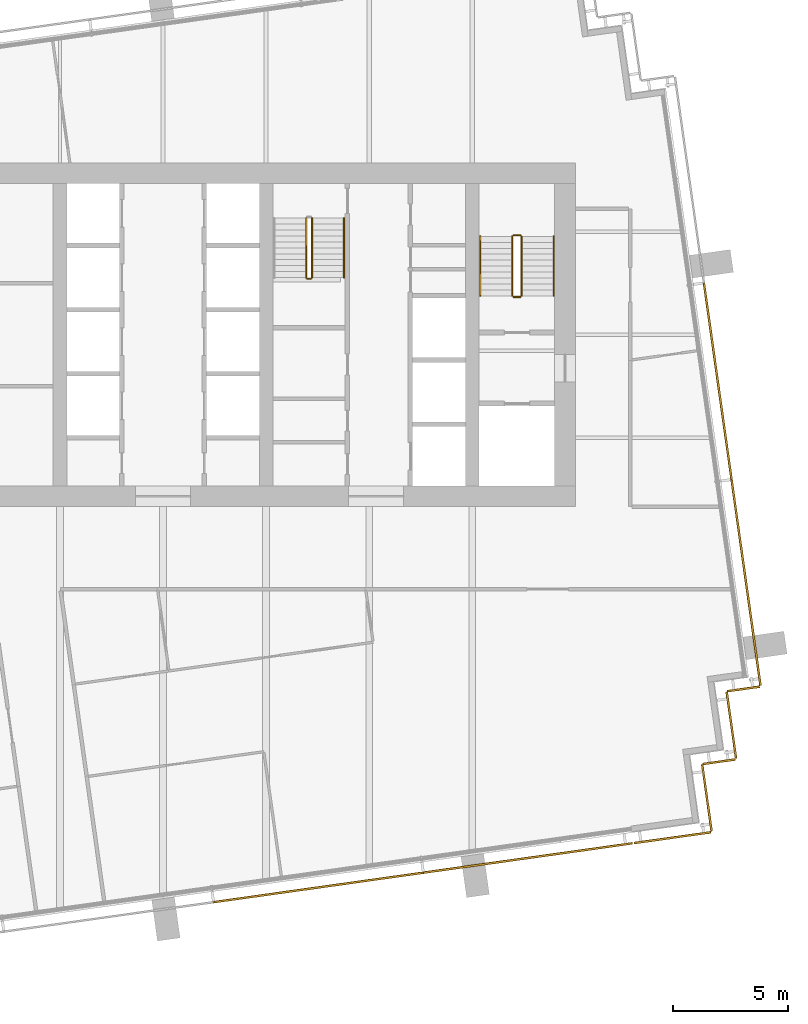
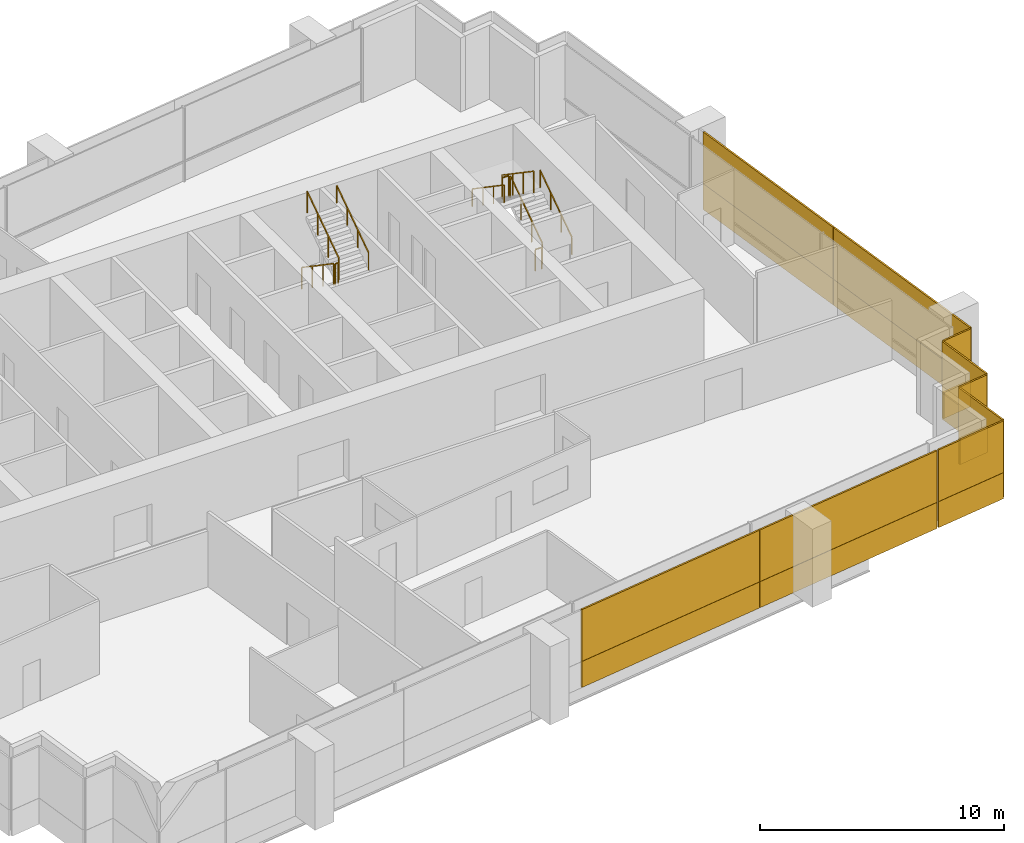
# One storey, part 13 of 15: 18 coverings, 10 railings.
"""IFC4 building model written with IfcOpenShell, lengths in metres."""

from ifc_helpers import new_model, si_unit, direction, frame, origin, origin_2d, place, context, subcontext, project, spatial, rectangle, extrude, material, layer, layer_set, type_object, element, save


model = new_model("IFC4")

# Units and contexts
model_context = context("Model", 3, precision=1e-05, world=origin(), true_north=direction((0.0, 1.0)))
body_context = subcontext(model_context, "Body", "Model", "MODEL_VIEW")
ifc_project = project(units=[si_unit("LENGTHUNIT", "METRE"), si_unit("AREAUNIT", "SQUARE_METRE"), si_unit("VOLUMEUNIT", "CUBIC_METRE"), si_unit("PLANEANGLEUNIT", "RADIAN"), si_unit("MASSUNIT", "GRAM", prefix="KILO")], contexts=[model_context])

# Site, building, storey
site_placement = place(None, origin())
site = spatial("IfcSite", under=ifc_project, at=site_placement, CompositionType="ELEMENT")
building_placement = place(site_placement, origin())
building = spatial("IfcBuilding", under=site, at=building_placement, Name="Rattan Terrace Tower", CompositionType="ELEMENT")
storey_placement = place(building_placement, frame((0.0, 0.0, 262.89990234375)))
storey = spatial("IfcBuildingStorey", under=building, at=storey_placement, Name="L60", CompositionType="ELEMENT", Elevation=262.89990234375)

# Railings
ifc_material_1 = material(Name="Powder-coated steel guard", Category="steel")
railing_type_1 = type_object("IfcRailingType", Name="Core stair guard", PredefinedType="GUARDRAIL", material=ifc_material_1)
railing_1_placement = place(storey_placement, frame((15.64990234375, 1.699951171875, 0.177490234375)))
element("IfcRailing", 1, at=railing_1_placement, inside=storey, type_object=railing_type_1, Name="L60 S2 stair guard 1", PredefinedType="GUARDRAIL", context=body_context, shape_type="SweptSolid", body=[
    extrude(rectangle(XDim=0.048095703125, YDim=0.048095703125, at=origin_2d()), frame((0.0, 0.0, 1.076171875), z_axis=(0.0, 0.826240473404, 0.563317565952), x_axis=(-1.0, 0.0, 0.0)), (0.0, 0.0, 1.0), 3.14697265625),
    extrude(rectangle(XDim=0.0419921875, YDim=0.0419921875, at=origin_2d()), origin(), (0.0, 0.0, 1.0), 1.052001953125),
    extrude(rectangle(XDim=0.0419921875, YDim=0.0419921875, at=origin_2d()), frame((0.0, 0.86669921875, 0.5908203125)), (0.0, 0.0, 1.0), 1.052001953125),
    extrude(rectangle(XDim=0.0419921875, YDim=0.0419921875, at=origin_2d()), frame((0.0, 1.7333984375, 1.181884765625)), (0.0, 0.0, 1.0), 1.052001953125),
    extrude(rectangle(XDim=0.0419921875, YDim=0.0419921875, at=origin_2d()), frame((0.0, 2.60009765625, 1.772705078125)), (0.0, 0.0, 1.0), 1.052001953125),
])
railing_2_placement = place(storey_placement, frame((15.60009765625, 4.35009765625, 1.9501953125)))
element("IfcRailing", 2, at=railing_2_placement, inside=storey, type_object=railing_type_1, Name="L60 S2 stair guard 2", PredefinedType="GUARDRAIL", context=body_context, shape_type="SweptSolid", body=[
    extrude(rectangle(XDim=0.048095703125, YDim=0.048095703125, at=origin_2d()), frame((0.0, 0.0, 1.076171875), z_axis=(-1.0, 0.0, 0.0), x_axis=(0.0, -1.0, 0.0)), (0.0, 0.0, 1.0), 0.300048828125),
    extrude(rectangle(XDim=0.0419921875, YDim=0.0419921875, at=origin_2d()), origin(), (0.0, 0.0, 1.0), 1.052001953125),
    extrude(rectangle(XDim=0.0419921875, YDim=0.0419921875, at=origin_2d()), frame((-0.300048828125, 0.0, 0.0)), (0.0, 0.0, 1.0), 1.052001953125),
])
railing_3_placement = place(storey_placement, frame((15.25, 4.300048828125, 2.12744140625)))
element("IfcRailing", 3, at=railing_3_placement, inside=storey, type_object=railing_type_1, Name="L60 S2 stair guard 3", PredefinedType="GUARDRAIL", context=body_context, shape_type="SweptSolid", body=[
    extrude(rectangle(XDim=0.048095703125, YDim=0.048095703125, at=origin_2d()), frame((0.0, 0.0, 1.076171875), z_axis=(0.0, -0.826240473404, 0.563317565952), x_axis=(1.0, 0.0, 0.0)), (0.0, 0.0, 1.0), 3.14697265625),
    extrude(rectangle(XDim=0.0419921875, YDim=0.0419921875, at=origin_2d()), origin(), (0.0, 0.0, 1.0), 1.052001953125),
    extrude(rectangle(XDim=0.0419921875, YDim=0.0419921875, at=origin_2d()), frame((0.0, -0.86669921875, 0.5908203125)), (0.0, 0.0, 1.0), 1.052001953125),
    extrude(rectangle(XDim=0.0419921875, YDim=0.0419921875, at=origin_2d()), frame((0.0, -1.7333984375, 1.181884765625)), (0.0, 0.0, 1.0), 1.052001953125),
    extrude(rectangle(XDim=0.0419921875, YDim=0.0419921875, at=origin_2d()), frame((0.0, -2.60009765625, 1.772705078125)), (0.0, 0.0, 1.0), 1.052001953125),
])
railing_4_placement = place(storey_placement, frame((15.60009765625, 1.64990234375, 0.0)))
element("IfcRailing", 4, at=railing_4_placement, inside=storey, type_object=railing_type_1, Name="L60 S2 stair guard 4", PredefinedType="GUARDRAIL", context=body_context, shape_type="SweptSolid", body=[
    extrude(rectangle(XDim=0.048095703125, YDim=0.048095703125, at=origin_2d()), frame((0.0, 0.0, 1.076171875), z_axis=(-1.0, 0.0, 0.0), x_axis=(0.0, -1.0, 0.0)), (0.0, 0.0, 1.0), 0.300048828125),
    extrude(rectangle(XDim=0.0419921875, YDim=0.0419921875, at=origin_2d()), origin(), (0.0, 0.0, 1.0), 1.052001953125),
    extrude(rectangle(XDim=0.0419921875, YDim=0.0419921875, at=origin_2d()), frame((-0.300048828125, 0.0, 0.0)), (0.0, 0.0, 1.0), 1.052001953125),
])
railing_5_placement = place(storey_placement, frame((6.25, 5.10009765625, 0.177490234375)))
element("IfcRailing", 5, at=railing_5_placement, inside=storey, type_object=railing_type_1, Name="L60 S3 stair guard 1", PredefinedType="GUARDRAIL", context=body_context, shape_type="SweptSolid", body=[
    extrude(rectangle(XDim=0.048095703125, YDim=0.048095703125, at=origin_2d()), frame((0.0, 0.0, 1.076171875), z_axis=(0.0, -0.826240473404, 0.563317565952), x_axis=(1.0, 0.0, 0.0)), (0.0, 0.0, 1.0), 3.14697265625),
    extrude(rectangle(XDim=0.0419921875, YDim=0.0419921875, at=origin_2d()), origin(), (0.0, 0.0, 1.0), 1.052001953125),
    extrude(rectangle(XDim=0.0419921875, YDim=0.0419921875, at=origin_2d()), frame((0.0, -0.86669921875, 0.5908203125)), (0.0, 0.0, 1.0), 1.052001953125),
    extrude(rectangle(XDim=0.0419921875, YDim=0.0419921875, at=origin_2d()), frame((0.0, -1.7333984375, 1.181884765625)), (0.0, 0.0, 1.0), 1.052001953125),
    extrude(rectangle(XDim=0.0419921875, YDim=0.0419921875, at=origin_2d()), frame((0.0, -2.60009765625, 1.772705078125)), (0.0, 0.0, 1.0), 1.052001953125),
])
railing_6_placement = place(storey_placement, frame((6.300048828125, 2.449951171875, 1.9501953125)))
element("IfcRailing", 6, at=railing_6_placement, inside=storey, type_object=railing_type_1, Name="L60 S3 stair guard 2", PredefinedType="GUARDRAIL", context=body_context, shape_type="SweptSolid", body=[
    extrude(rectangle(XDim=0.048095703125, YDim=0.048095703125, at=origin_2d()), frame((0.0, 0.0, 1.076171875), z_axis=(1.0, 0.0, 0.0), x_axis=(0.0, 1.0, 0.0)), (0.0, 0.0, 1.0), 0.14990234375),
    extrude(rectangle(XDim=0.0419921875, YDim=0.0419921875, at=origin_2d()), origin(), (0.0, 0.0, 1.0), 1.052001953125),
    extrude(rectangle(XDim=0.0419921875, YDim=0.0419921875, at=origin_2d()), frame((0.14990234375, 0.0, 0.0)), (0.0, 0.0, 1.0), 1.052001953125),
])
railing_7_placement = place(storey_placement, frame((6.5, 2.5, 2.12744140625)))
element("IfcRailing", 7, at=railing_7_placement, inside=storey, type_object=railing_type_1, Name="L60 S3 stair guard 3", PredefinedType="GUARDRAIL", context=body_context, shape_type="SweptSolid", body=[
    extrude(rectangle(XDim=0.048095703125, YDim=0.048095703125, at=origin_2d()), frame((0.0, 0.0, 1.076171875), z_axis=(0.0, 0.826240473404, 0.563317565952), x_axis=(-1.0, 0.0, 0.0)), (0.0, 0.0, 1.0), 3.14697265625),
    extrude(rectangle(XDim=0.0419921875, YDim=0.0419921875, at=origin_2d()), origin(), (0.0, 0.0, 1.0), 1.052001953125),
    extrude(rectangle(XDim=0.0419921875, YDim=0.0419921875, at=origin_2d()), frame((0.0, 0.86669921875, 0.5908203125)), (0.0, 0.0, 1.0), 1.052001953125),
    extrude(rectangle(XDim=0.0419921875, YDim=0.0419921875, at=origin_2d()), frame((0.0, 1.7333984375, 1.181884765625)), (0.0, 0.0, 1.0), 1.052001953125),
    extrude(rectangle(XDim=0.0419921875, YDim=0.0419921875, at=origin_2d()), frame((0.0, 2.60009765625, 1.772705078125)), (0.0, 0.0, 1.0), 1.052001953125),
])
ifc_material_2 = material(Name="Powder-coated steel handrail", Category="steel")
railing_type_2 = type_object("IfcRailingType", Name="Core stair handrail", PredefinedType="HANDRAIL", material=ifc_material_2)
railing_8_placement = place(storey_placement, frame((17.050048828125, 1.699951171875, 0.177490234375)))
element("IfcRailing", 8, at=railing_8_placement, inside=storey, type_object=railing_type_2, Name="L60 S2 stair handrail 1", PredefinedType="HANDRAIL", context=body_context, shape_type="SweptSolid", body=[
    extrude(rectangle(XDim=0.048095703125, YDim=0.048095703125, at=origin_2d()), frame((0.0, 0.0, 0.8759765625), z_axis=(0.0, 0.826240473404, 0.563317565952), x_axis=(-1.0, 0.0, 0.0)), (0.0, 0.0, 1.0), 3.14697265625),
    extrude(rectangle(XDim=0.0419921875, YDim=0.0419921875, at=origin_2d()), origin(), (0.0, 0.0, 1.0), 0.851806640625),
    extrude(rectangle(XDim=0.0419921875, YDim=0.0419921875, at=origin_2d()), frame((0.0, 0.86669921875, 0.5908203125)), (0.0, 0.0, 1.0), 0.851806640625),
    extrude(rectangle(XDim=0.0419921875, YDim=0.0419921875, at=origin_2d()), frame((0.0, 1.7333984375, 1.181884765625)), (0.0, 0.0, 1.0), 0.851806640625),
    extrude(rectangle(XDim=0.0419921875, YDim=0.0419921875, at=origin_2d()), frame((0.0, 2.60009765625, 1.772705078125)), (0.0, 0.0, 1.0), 0.851806640625),
])
railing_9_placement = place(storey_placement, frame((13.85009765625, 4.300048828125, 2.12744140625)))
element("IfcRailing", 9, at=railing_9_placement, inside=storey, type_object=railing_type_2, Name="L60 S2 stair handrail 2", PredefinedType="HANDRAIL", context=body_context, shape_type="SweptSolid", body=[
    extrude(rectangle(XDim=0.048095703125, YDim=0.048095703125, at=origin_2d()), frame((0.0, 0.0, 0.8759765625), z_axis=(0.0, -0.826240473404, 0.563317565952), x_axis=(1.0, 0.0, 0.0)), (0.0, 0.0, 1.0), 3.14697265625),
    extrude(rectangle(XDim=0.0419921875, YDim=0.0419921875, at=origin_2d()), origin(), (0.0, 0.0, 1.0), 0.851806640625),
    extrude(rectangle(XDim=0.0419921875, YDim=0.0419921875, at=origin_2d()), frame((0.0, -0.86669921875, 0.5908203125)), (0.0, 0.0, 1.0), 0.851806640625),
    extrude(rectangle(XDim=0.0419921875, YDim=0.0419921875, at=origin_2d()), frame((0.0, -1.7333984375, 1.181884765625)), (0.0, 0.0, 1.0), 0.851806640625),
    extrude(rectangle(XDim=0.0419921875, YDim=0.0419921875, at=origin_2d()), frame((0.0, -2.60009765625, 1.772705078125)), (0.0, 0.0, 1.0), 0.851806640625),
])
railing_10_placement = place(storey_placement, frame((7.89990234375, 2.5, 2.12744140625)))
element("IfcRailing", 10, at=railing_10_placement, inside=storey, type_object=railing_type_2, Name="L60 S3 stair handrail 2", PredefinedType="HANDRAIL", context=body_context, shape_type="SweptSolid", body=[
    extrude(rectangle(XDim=0.048095703125, YDim=0.048095703125, at=origin_2d()), frame((0.0, 0.0, 0.8759765625), z_axis=(0.0, 0.826240473404, 0.563317565952), x_axis=(-1.0, 0.0, 0.0)), (0.0, 0.0, 1.0), 3.14697265625),
    extrude(rectangle(XDim=0.0419921875, YDim=0.0419921875, at=origin_2d()), origin(), (0.0, 0.0, 1.0), 0.851806640625),
    extrude(rectangle(XDim=0.0419921875, YDim=0.0419921875, at=origin_2d()), frame((0.0, 0.86669921875, 0.5908203125)), (0.0, 0.0, 1.0), 0.851806640625),
    extrude(rectangle(XDim=0.0419921875, YDim=0.0419921875, at=origin_2d()), frame((0.0, 1.7333984375, 1.181884765625)), (0.0, 0.0, 1.0), 0.851806640625),
    extrude(rectangle(XDim=0.0419921875, YDim=0.0419921875, at=origin_2d()), frame((0.0, 2.60009765625, 1.772705078125)), (0.0, 0.0, 1.0), 0.851806640625),
])

# Coverings
ifc_material_3 = material(Name="Solid terracotta", Category="masonry")
ifc_layer_1 = layer(ifc_material_3, 0.090087890625)
ifc_layer_set_1 = layer_set([ifc_layer_1], Name="Facade Terracotta Band Panel HZ")
covering_type_1 = type_object("IfcCoveringType", Name="Facade Terracotta Band Panel HZ", PredefinedType="CLADDING", material=ifc_layer_set_1)
covering_1_placement = place(storey_placement, frame((22.237060546875, -21.960693359375, -0.18994140625), z_axis=(0.0, 0.0, 1.0), x_axis=(0.990293172258, 0.138994363123, 0.0)))
element("IfcCovering", 11, at=covering_1_placement, inside=storey, type_object=covering_type_1, Name="OUTER SKIN panel L60-1A", PredefinedType="CLADDING", context=body_context, shape_type="SweptSolid", body=[
    extrude(rectangle(XDim=3.3701171875, YDim=0.090087890625, at=origin_2d()), origin(), (0.0, 0.0, 1.0), 1.300048828125),
])
covering_2_placement = place(storey_placement, frame((23.74951171875, -20.218505859375, -0.18994140625), z_axis=(0.0, 0.0, 1.0), x_axis=(-0.138994363123, 0.990293172258, 0.0)))
element("IfcCovering", 12, at=covering_2_placement, inside=storey, type_object=covering_type_1, Name="OUTER SKIN panel L60-2A", PredefinedType="CLADDING", context=body_context, shape_type="SweptSolid", body=[
    extrude(rectangle(XDim=2.92041015625, YDim=0.090087890625, at=origin_2d()), origin(), (0.0, 0.0, 1.0), 1.300048828125),
])
covering_3_placement = place(storey_placement, frame((24.270751953125, -18.645263671875, -0.18994140625), z_axis=(0.0, 0.0, 1.0), x_axis=(0.990240767803, 0.139367219175, 0.0)))
element("IfcCovering", 13, at=covering_3_placement, inside=storey, type_object=covering_type_1, Name="OUTER SKIN panel L60-3A", PredefinedType="CLADDING", context=body_context, shape_type="SweptSolid", body=[
    extrude(rectangle(XDim=1.419921875, YDim=0.090087890625, at=origin_2d()), origin(), (0.0, 0.0, 1.0), 1.300048828125),
])
covering_4_placement = place(storey_placement, frame((24.817138671875, -17.038818359375, -0.18994140625), z_axis=(0.0, 0.0, 1.0), x_axis=(-0.139367219175, 0.990240767803, 0.0)))
element("IfcCovering", 14, at=covering_4_placement, inside=storey, type_object=covering_type_1, Name="OUTER SKIN panel L60-4A", PredefinedType="CLADDING", context=body_context, shape_type="SweptSolid", body=[
    extrude(rectangle(XDim=2.919189453125, YDim=0.090087890625, at=origin_2d()), origin(), (0.0, 0.0, 1.0), 1.300048828125),
])
covering_5_placement = place(storey_placement, frame((25.33837890625, -15.46630859375, -0.18994140625), z_axis=(0.0, 0.0, 1.0), x_axis=(0.99025370695, 0.139275252184, 0.0)))
element("IfcCovering", 15, at=covering_5_placement, inside=storey, type_object=covering_type_1, Name="OUTER SKIN panel L60-5A", PredefinedType="CLADDING", context=body_context, shape_type="SweptSolid", body=[
    extrude(rectangle(XDim=1.420654296875, YDim=0.090087890625, at=origin_2d()), origin(), (0.0, 0.0, 1.0), 1.300048828125),
])
covering_6_placement = place(storey_placement, frame((25.45751953125, -10.81591796875, -0.18994140625), z_axis=(0.0, 0.0, 1.0), x_axis=(-0.139191775431, 0.990265444036, 0.0)))
element("IfcCovering", 16, at=covering_6_placement, inside=storey, type_object=covering_type_1, Name="OUTER SKIN panel L60-6A", PredefinedType="CLADDING", context=body_context, shape_type="SweptSolid", body=[
    extrude(rectangle(XDim=9.06689453125, YDim=0.090087890625, at=origin_2d()), origin(), (0.0, 0.0, 1.0), 1.300048828125),
])
covering_7_placement = place(storey_placement, frame((24.221923828125, -2.025390625, -0.18994140625), z_axis=(0.0, 0.0, 1.0), x_axis=(-0.139191775431, 0.990265444036, 0.0)))
element("IfcCovering", 17, at=covering_7_placement, inside=storey, type_object=covering_type_1, Name="OUTER SKIN panel L60-7A", PredefinedType="CLADDING", context=body_context, shape_type="SweptSolid", body=[
    extrude(rectangle(XDim=8.64697265625, YDim=0.090087890625, at=origin_2d()), origin(), (0.0, 0.0, 1.0), 1.300048828125),
])
covering_8_placement = place(storey_placement, frame((6.7861328125, -24.132080078125, -0.18994140625), z_axis=(0.0, 0.0, 1.0), x_axis=(0.990265894013, 0.139188574079, 0.0)))
element("IfcCovering", 18, at=covering_8_placement, inside=storey, type_object=covering_type_1, Name="OUTER SKIN panel L60-33A", PredefinedType="CLADDING", context=body_context, shape_type="SweptSolid", body=[
    extrude(rectangle(XDim=9.22900390625, YDim=0.090087890625, at=origin_2d()), origin(), (0.0, 0.0, 1.0), 1.300048828125),
])
covering_9_placement = place(storey_placement, frame((15.932373046875, -22.846435546875, -0.18994140625), z_axis=(0.0, 0.0, 1.0), x_axis=(0.990265894013, 0.139188574079, 0.0)))
element("IfcCovering", 19, at=covering_9_placement, inside=storey, type_object=covering_type_1, Name="OUTER SKIN panel L60-34A", PredefinedType="CLADDING", context=body_context, shape_type="SweptSolid", body=[
    extrude(rectangle(XDim=9.203125, YDim=0.090087890625, at=origin_2d()), origin(), (0.0, 0.0, 1.0), 1.300048828125),
])
ifc_material_4 = material(Name="Perforated terracotta", Category="masonry")
ifc_layer_2 = layer(ifc_material_4, 0.080078125)
ifc_layer_set_2 = layer_set([ifc_layer_2], Name="Facade Terracotta Screen Panel HZ")
covering_type_2 = type_object("IfcCoveringType", Name="Facade Terracotta Screen Panel HZ", PredefinedType="CLADDING", material=ifc_layer_set_2)
covering_10_placement = place(storey_placement, frame((22.236328125, -21.955810546875, 1.110107421875), z_axis=(0.0, 0.0, 1.0), x_axis=(0.990293172258, 0.138994363123, 0.0)))
element("IfcCovering", 20, at=covering_10_placement, inside=storey, type_object=covering_type_2, Name="OUTER SKIN panel L60-1B", PredefinedType="CLADDING", context=body_context, shape_type="SweptSolid", body=[
    extrude(rectangle(XDim=3.3701171875, YDim=0.080078125, at=origin_2d()), origin(), (0.0, 0.0, 1.0), 2.580078125),
])
covering_11_placement = place(storey_placement, frame((23.74462890625, -20.218994140625, 1.110107421875), z_axis=(0.0, 0.0, 1.0), x_axis=(-0.138994363123, 0.990293172258, 0.0)))
element("IfcCovering", 21, at=covering_11_placement, inside=storey, type_object=covering_type_2, Name="OUTER SKIN panel L60-2B", PredefinedType="CLADDING", context=body_context, shape_type="SweptSolid", body=[
    extrude(rectangle(XDim=2.92041015625, YDim=0.080078125, at=origin_2d()), origin(), (0.0, 0.0, 1.0), 2.580078125),
])
covering_12_placement = place(storey_placement, frame((24.27001953125, -18.640380859375, 1.110107421875), z_axis=(0.0, 0.0, 1.0), x_axis=(0.990240767803, 0.139367219175, 0.0)))
element("IfcCovering", 22, at=covering_12_placement, inside=storey, type_object=covering_type_2, Name="OUTER SKIN panel L60-3B", PredefinedType="CLADDING", context=body_context, shape_type="SweptSolid", body=[
    extrude(rectangle(XDim=1.419921875, YDim=0.080078125, at=origin_2d()), origin(), (0.0, 0.0, 1.0), 2.580078125),
])
covering_13_placement = place(storey_placement, frame((24.812255859375, -17.03955078125, 1.110107421875), z_axis=(0.0, 0.0, 1.0), x_axis=(-0.139367219175, 0.990240767803, 0.0)))
element("IfcCovering", 23, at=covering_13_placement, inside=storey, type_object=covering_type_2, Name="OUTER SKIN panel L60-4B", PredefinedType="CLADDING", context=body_context, shape_type="SweptSolid", body=[
    extrude(rectangle(XDim=2.919189453125, YDim=0.080078125, at=origin_2d()), origin(), (0.0, 0.0, 1.0), 2.580078125),
])
covering_14_placement = place(storey_placement, frame((25.337646484375, -15.46142578125, 1.110107421875), z_axis=(0.0, 0.0, 1.0), x_axis=(0.99025370695, 0.139275252184, 0.0)))
element("IfcCovering", 24, at=covering_14_placement, inside=storey, type_object=covering_type_2, Name="OUTER SKIN panel L60-5B", PredefinedType="CLADDING", context=body_context, shape_type="SweptSolid", body=[
    extrude(rectangle(XDim=1.420654296875, YDim=0.080078125, at=origin_2d()), origin(), (0.0, 0.0, 1.0), 2.580078125),
])
covering_15_placement = place(storey_placement, frame((25.45263671875, -10.816650390625, 1.110107421875), z_axis=(0.0, 0.0, 1.0), x_axis=(-0.139191775431, 0.990265444036, 0.0)))
element("IfcCovering", 25, at=covering_15_placement, inside=storey, type_object=covering_type_2, Name="OUTER SKIN panel L60-6B", PredefinedType="CLADDING", context=body_context, shape_type="SweptSolid", body=[
    extrude(rectangle(XDim=9.06689453125, YDim=0.080078125, at=origin_2d()), origin(), (0.0, 0.0, 1.0), 2.580078125),
])
covering_16_placement = place(storey_placement, frame((24.217041015625, -2.026123046875, 1.110107421875), z_axis=(0.0, 0.0, 1.0), x_axis=(-0.139191775431, 0.990265444036, 0.0)))
element("IfcCovering", 26, at=covering_16_placement, inside=storey, type_object=covering_type_2, Name="OUTER SKIN panel L60-7B", PredefinedType="CLADDING", context=body_context, shape_type="SweptSolid", body=[
    extrude(rectangle(XDim=8.64697265625, YDim=0.080078125, at=origin_2d()), origin(), (0.0, 0.0, 1.0), 2.580078125),
])
covering_17_placement = place(storey_placement, frame((6.785400390625, -24.127197265625, 1.110107421875), z_axis=(0.0, 0.0, 1.0), x_axis=(0.990265894013, 0.139188574079, 0.0)))
element("IfcCovering", 27, at=covering_17_placement, inside=storey, type_object=covering_type_2, Name="OUTER SKIN panel L60-33B", PredefinedType="CLADDING", context=body_context, shape_type="SweptSolid", body=[
    extrude(rectangle(XDim=9.22900390625, YDim=0.080078125, at=origin_2d()), origin(), (0.0, 0.0, 1.0), 2.580078125),
])
covering_18_placement = place(storey_placement, frame((15.931640625, -22.841552734375, 1.110107421875), z_axis=(0.0, 0.0, 1.0), x_axis=(0.990265894013, 0.139188574079, 0.0)))
element("IfcCovering", 28, at=covering_18_placement, inside=storey, type_object=covering_type_2, Name="OUTER SKIN panel L60-34B", PredefinedType="CLADDING", context=body_context, shape_type="SweptSolid", body=[
    extrude(rectangle(XDim=9.203125, YDim=0.080078125, at=origin_2d()), origin(), (0.0, 0.0, 1.0), 2.580078125),
])

save(model, "model.ifc")
